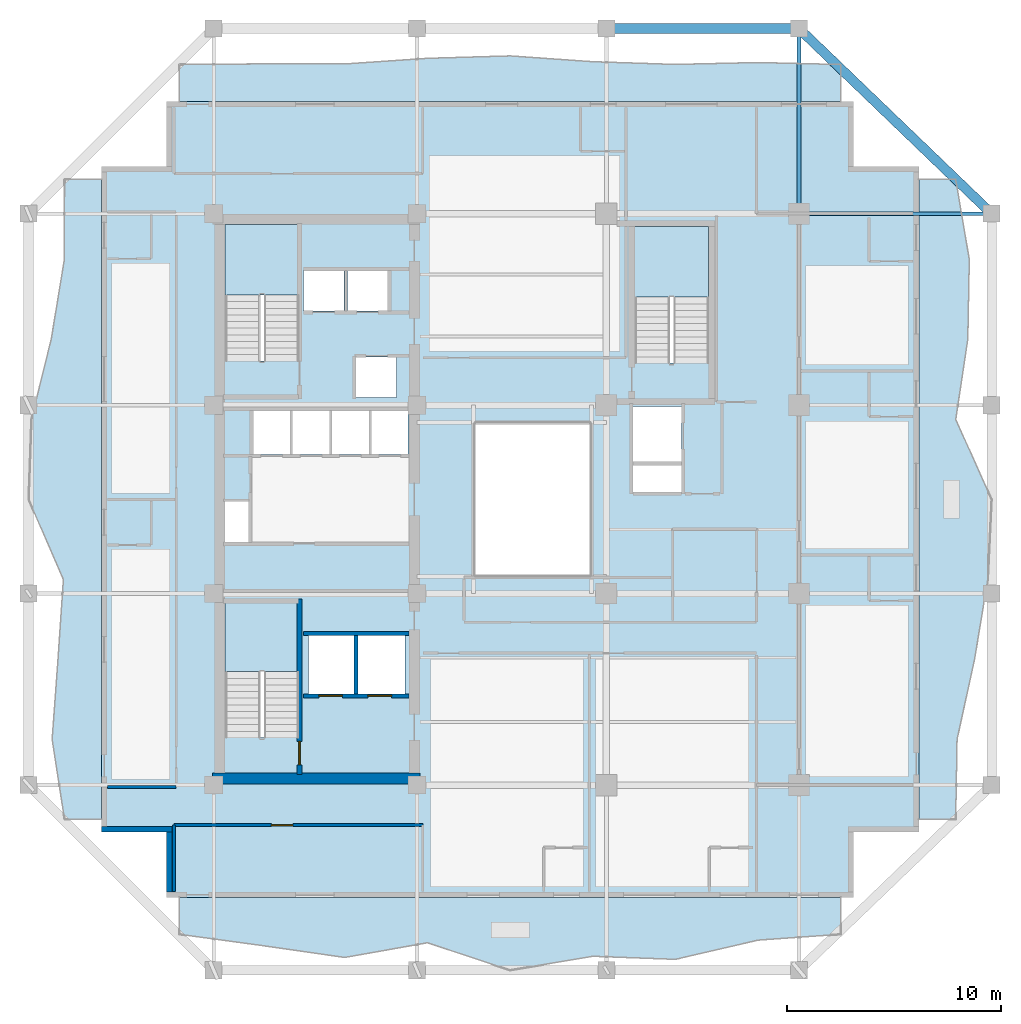
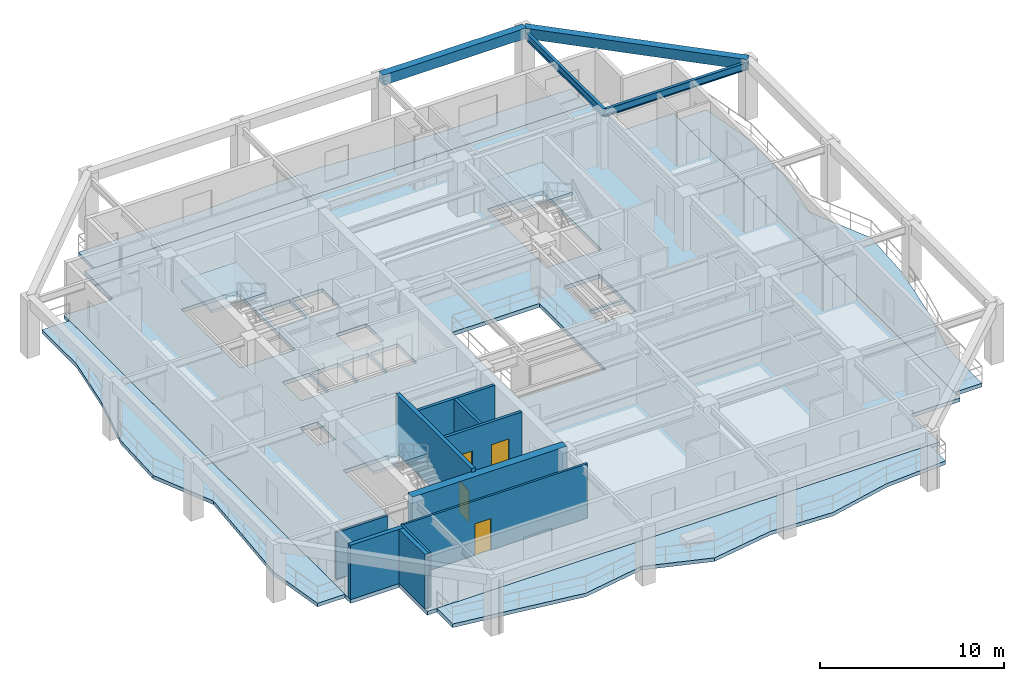
# One storey, part 2 of 10: 10 walls, 8 slabs, 4 beams, 4 doors, 4 openings, 3 elements without a shape of their own.
"""IFC4 building model written with IfcOpenShell, lengths in metres."""

from ifc_helpers import new_model, si_unit, direction, frame, frame_2d, origin, origin_2d, place, context, subcontext, project, spatial, polyline, rectangle, i_section, outline, extrude, material, layer, layer_set, material_profile, profile_set, type_object, element, fill, aggregate, save


model = new_model("IFC4")

# Units and contexts
model_context = context("Model", 3, precision=1e-05, world=origin(), true_north=direction((0.0, 1.0)))
body_context = subcontext(model_context, "Body", "Model", "MODEL_VIEW")
ifc_project = project(units=[si_unit("LENGTHUNIT", "METRE"), si_unit("AREAUNIT", "SQUARE_METRE"), si_unit("VOLUMEUNIT", "CUBIC_METRE"), si_unit("PLANEANGLEUNIT", "RADIAN"), si_unit("MASSUNIT", "GRAM", prefix="KILO")], contexts=[model_context])

# Site, building, storey
site_placement = place(None, origin())
site = spatial("IfcSite", under=ifc_project, at=site_placement, CompositionType="ELEMENT")
building_placement = place(site_placement, origin())
building = spatial("IfcBuilding", under=site, at=building_placement, Name="Kundavana Baori Tower", CompositionType="ELEMENT")
storey_placement = place(building_placement, frame((0.0, 0.0, 115.550048828125)))
storey = spatial("IfcBuildingStorey", under=building, at=storey_placement, Name="L27", CompositionType="ELEMENT", Elevation=115.550048828125)

# Beams
ifc_material_1 = material(Name="Concrete C50/60", Category="concrete")
ifc_material_profile_1 = material_profile(ifc_material_1, rectangle(XDim=0.449951171875, YDim=0.679931640625, at=origin_2d()), Name="RC BM 450x680")
ifc_profile_set_1 = profile_set([ifc_material_profile_1], Name="Concrete C50/60")
beam_type_1 = type_object("IfcBeamType", Name="BM-PF-680", PredefinedType="SPANDREL", material=ifc_profile_set_1)
beam_1_placement = place(storey_placement, frame((33.800048828125, 50.60009765625, 3.510009765625), z_axis=(1.0, 0.0, 0.0), x_axis=(0.0, 1.0, 0.0)))
element("IfcBeam", 1, at=beam_1_placement, inside=storey, type_object=beam_type_1, Name="L27 Perimeter Frame Ring Beam N3", PredefinedType="SPANDREL", context=body_context, shape_type="SweptSolid", body=[
    extrude(rectangle(XDim=0.449951171875, YDim=0.679931640625, at=origin_2d()), origin(), (0.0, 0.0, 1.0), 9.0),
])
beam_2_placement = place(storey_placement, frame((42.800048828125, 50.60009765625, 3.510009765625), z_axis=(0.720981122985, -0.692954702921, 0.0), x_axis=(0.692954702921, 0.720981122985, 0.0)))
element("IfcBeam", 2, at=beam_2_placement, inside=storey, type_object=beam_type_1, Name="L27 Notched Corner Perimeter Beam NE", PredefinedType="SPANDREL", context=body_context, shape_type="SweptSolid", body=[
    extrude(rectangle(XDim=0.449951171875, YDim=0.679931640625, at=origin_2d()), origin(), (0.0, 0.0, 1.0), 12.48291015625),
])
ifc_material_2 = material(Name="Structural Steel S355JR", Category="steel")
ifc_material_profile_2 = material_profile(ifc_material_2, i_section(OverallWidth=0.179931640625, OverallDepth=0.5, WebThickness=0.01025390625, FlangeThickness=0.01708984375, FilletRadius=0.01708984375, at=origin_2d()), Name="ISMB 500")
ifc_profile_set_2 = profile_set([ifc_material_profile_2], Name="Structural Steel S355JR")
beam_type_2 = type_object("IfcBeamType", Name="BM-TIE-500", PredefinedType="BEAM", material=ifc_profile_set_2)
beam_3_placement = place(storey_placement, frame((42.800048828125, 41.949951171875, 3.349853515625), z_axis=(0.0, 1.0, 0.0), x_axis=(-1.0, 0.0, 0.0)))
element("IfcBeam", 3, at=beam_3_placement, inside=storey, type_object=beam_type_2, Name="L27 North Radial Loggia Tie Beam N4", PredefinedType="BEAM", context=body_context, shape_type="SweptSolid", body=[
    extrude(i_section(OverallWidth=0.179931640625, OverallDepth=0.5, WebThickness=0.01025390625, FlangeThickness=0.01708984375, FilletRadius=0.01708984375, at=origin_2d()), origin(), (0.0, 0.0, 1.0), 8.650146484375),
])
beam_4_placement = place(storey_placement, frame((42.800048828125, 41.949951171875, 3.349853515625), z_axis=(1.0, 0.0, 0.0), x_axis=(0.0, 1.0, 0.0)))
element("IfcBeam", 4, at=beam_4_placement, inside=storey, type_object=beam_type_2, Name="L27 East Radial Loggia Tie Beam E4", PredefinedType="BEAM", context=body_context, shape_type="SweptSolid", body=[
    extrude(i_section(OverallWidth=0.179931640625, OverallDepth=0.5, WebThickness=0.01025390625, FlangeThickness=0.01708984375, FilletRadius=0.01708984375, at=origin_2d()), origin(), (0.0, 0.0, 1.0), 9.0),
])

# Slab
ifc_material_3 = material(Name="Concrete C40/50", Category="concrete")
ifc_layer_1 = layer(ifc_material_3, 0.25, Name="SLB-FLR-250")
ifc_layer_set_1 = layer_set([ifc_layer_1], Name="Concrete C40/50")
slab_type_1 = type_object("IfcSlabType", Name="SLB-FLR-250", PredefinedType="FLOOR", material=ifc_layer_set_1)
slab_1_placement = place(storey_placement, frame((0.0, 0.0, -0.25)))
element("IfcSlab", 5, at=slab_1_placement, inside=storey, type_object=slab_type_1, Name="L27 Structural Floor Slab", PredefinedType="FLOOR", context=body_context, shape_type="SweptSolid", body=[
    extrude(outline(polyline([(13.25, 10.0), (45.35009765625, 10.0), (45.35009765625, 13.050048828125), (48.39990234375, 13.050048828125), (48.39990234375, 44.14990234375), (45.35009765625, 44.14990234375), (45.35009765625, 47.199951171875), (13.25, 47.199951171875), (13.25, 44.14990234375), (10.199951171875, 44.14990234375), (10.199951171875, 13.050048828125), (13.25, 13.050048828125), (13.25, 10.0)]), holes=[polyline([(19.43994140625, 17.4619140625), (19.43994140625, 23.85009765625), (15.97998046875, 23.85009765625), (15.97998046875, 17.4619140625), (19.43994140625, 17.4619140625)]), polyline([(19.43994140625, 35.06201171875), (19.43994140625, 41.449951171875), (15.97998046875, 41.449951171875), (15.97998046875, 35.06201171875), (19.43994140625, 35.06201171875)]), polyline([(38.580078125, 34.9619140625), (38.580078125, 41.35009765625), (35.1201171875, 41.35009765625), (35.1201171875, 34.9619140625), (38.580078125, 34.9619140625)]), polyline([(17.300048828125, 30.699951171875), (19.02001953125, 30.699951171875), (19.02001953125, 32.75), (17.300048828125, 32.75), (17.300048828125, 30.699951171875)]), polyline([(19.139892578125, 30.699951171875), (20.860107421875, 30.699951171875), (20.860107421875, 32.75), (19.139892578125, 32.75), (19.139892578125, 30.699951171875)]), polyline([(20.97998046875, 30.699951171875), (22.699951171875, 30.699951171875), (22.699951171875, 32.75), (20.97998046875, 32.75), (20.97998046875, 30.699951171875)]), polyline([(22.820068359375, 30.699951171875), (24.5400390625, 30.699951171875), (24.5400390625, 32.75), (22.820068359375, 32.75), (22.820068359375, 30.699951171875)]), polyline([(19.64990234375, 37.39990234375), (21.550048828125, 37.39990234375), (21.550048828125, 39.300048828125), (19.64990234375, 39.300048828125), (19.64990234375, 37.39990234375)]), polyline([(21.699951171875, 37.39990234375), (23.60009765625, 37.39990234375), (23.60009765625, 39.300048828125), (21.699951171875, 39.300048828125), (21.699951171875, 37.39990234375)]), polyline([(22.10009765625, 33.35009765625), (24.0, 33.35009765625), (24.0, 35.25), (22.10009765625, 35.25), (22.10009765625, 33.35009765625)]), polyline([(19.8798828125, 19.5), (22.02001953125, 19.5), (22.02001953125, 22.25), (19.8798828125, 22.25), (19.8798828125, 19.5)]), polyline([(22.179931640625, 19.5), (24.3798828125, 19.5), (24.3798828125, 22.25), (22.179931640625, 22.25), (22.179931640625, 19.5)]), polyline([(35.050048828125, 30.35009765625), (37.300048828125, 30.35009765625), (37.300048828125, 32.949951171875), (35.050048828125, 32.949951171875), (35.050048828125, 30.35009765625)]), polyline([(15.949951171875, 26.60009765625), (17.080078125, 26.60009765625), (17.080078125, 28.5), (15.949951171875, 28.5), (15.949951171875, 26.60009765625)]), polyline([(35.050048828125, 28.949951171875), (37.300048828125, 28.949951171875), (37.300048828125, 30.199951171875), (35.050048828125, 30.199951171875), (35.050048828125, 28.949951171875)]), polyline([(27.60009765625, 25.0), (33.10009765625, 25.0), (33.10009765625, 32.199951171875), (27.60009765625, 32.199951171875), (27.60009765625, 25.0)])]), origin(), (0.0, 0.0, 1.0), 0.25),
])

# Stair, slab
ifc_material_4 = material(Name="Concrete C40/50", Category="concrete")
stair_type = type_object("IfcStairType", Name="STR-DOG-1650", PredefinedType="HALF_TURN_STAIR", material=ifc_material_4)
stair_1_placement = place(storey_placement, origin())
stair_1 = element("IfcStair", 6, at=stair_1_placement, inside=storey, type_object=stair_type, Name="L27 Protected Exit Stair ST1", PredefinedType="HALF_TURN_STAIR")
ifc_material_5 = material(Name="Concrete C40/50", Category="concrete")
ifc_layer_2 = layer(ifc_material_5, 0.199951171875, Name="SLB-LND-200")
ifc_layer_set_2 = layer_set([ifc_layer_2], Name="Concrete C40/50")
slab_type_2 = type_object("IfcSlabType", Name="SLB-LND-200", PredefinedType="LANDING", material=ifc_layer_set_2)
slab_2_placement = place(storey_placement, frame((0.0, 0.0, 1.724853515625)))
slab_2 = element("IfcSlab", 7, at=slab_2_placement, type_object=slab_type_2, Name="ST1 landing 1", PredefinedType="LANDING", context=body_context, shape_type="SweptSolid", body=[
    extrude(outline(polyline([(19.43994140625, 20.550048828125), (19.43994140625, 23.85009765625), (15.97998046875, 23.85009765625), (15.97998046875, 20.550048828125), (19.43994140625, 20.550048828125)])), origin(), (0.0, 0.0, 1.0), 0.2001953125),
])
aggregate(stair_1, [slab_2])

stair_2_placement = place(storey_placement, origin())
stair_2 = element("IfcStair", 8, at=stair_2_placement, inside=storey, type_object=stair_type, Name="L27 Protected Exit Stair ST2", PredefinedType="HALF_TURN_STAIR")
slab_3_placement = place(storey_placement, frame((0.0, 0.0, 1.724853515625)))
slab_3 = element("IfcSlab", 9, at=slab_3_placement, type_object=slab_type_2, Name="ST2 landing 1", PredefinedType="LANDING", context=body_context, shape_type="SweptSolid", body=[
    extrude(outline(polyline([(19.43994140625, 38.14990234375), (19.43994140625, 41.449951171875), (15.97998046875, 41.449951171875), (15.97998046875, 38.14990234375), (19.43994140625, 38.14990234375)])), origin(), (0.0, 0.0, 1.0), 0.2001953125),
])
aggregate(stair_2, [slab_3])

stair_3_placement = place(storey_placement, origin())
stair_3 = element("IfcStair", 10, at=stair_3_placement, inside=storey, type_object=stair_type, Name="L27 Protected Exit Stair ST3", PredefinedType="HALF_TURN_STAIR")
slab_4_placement = place(storey_placement, frame((0.0, 0.0, 1.724853515625)))
slab_4 = element("IfcSlab", 11, at=slab_4_placement, type_object=slab_type_2, Name="ST3 landing 1", PredefinedType="LANDING", context=body_context, shape_type="SweptSolid", body=[
    extrude(outline(polyline([(38.580078125, 38.050048828125), (38.580078125, 41.35009765625), (35.1201171875, 41.35009765625), (35.1201171875, 38.050048828125), (38.580078125, 38.050048828125)])), origin(), (0.0, 0.0, 1.0), 0.2001953125),
])
aggregate(stair_3, [slab_4])

# Slabs
ifc_material_6 = material(Name="Concrete C40/50", Category="concrete")
ifc_layer_3 = layer(ifc_material_6, 0.239990234375, Name="SLB-LOG-240")
ifc_layer_set_3 = layer_set([ifc_layer_3], Name="Concrete C40/50")
slab_type_3 = type_object("IfcSlabType", Name="SLB-LOG-240", PredefinedType="FLOOR", material=ifc_layer_set_3)
slab_5_placement = place(storey_placement, frame((0.0, 0.0, -0.239990234375)))
element("IfcSlab", 12, at=slab_5_placement, inside=storey, type_object=slab_type_3, Name="L27 Planted Loggia Balcony Slab S", PredefinedType="FLOOR", context=body_context, shape_type="SweptSolid", body=[
    extrude(outline(polyline([(13.85009765625, 10.0), (44.75, 10.0), (44.75, 8.280029296875), (40.886962890625, 8.006103515625), (37.02490234375, 7.10888671875), (33.1630859375, 7.251953125), (29.300048828125, 6.60009765625), (25.43798828125, 7.884033203125), (21.574951171875, 7.197021484375), (17.7119140625, 7.7529296875), (13.85009765625, 8.280029296875), (13.85009765625, 10.0)])), origin(), (0.0, 0.0, 1.0), 0.239990234375),
])
slab_6_placement = place(storey_placement, frame((0.0, 0.0, -0.239990234375)))
element("IfcSlab", 13, at=slab_6_placement, inside=storey, type_object=slab_type_3, Name="L27 Planted Loggia Balcony Slab E", PredefinedType="FLOOR", context=body_context, shape_type="SweptSolid", body=[
    extrude(outline(polyline([(48.39990234375, 13.64990234375), (48.39990234375, 43.550048828125), (50.1201171875, 43.550048828125), (50.757080078125, 39.81201171875), (50.68603515625, 36.074951171875), (50.123046875, 32.3369140625), (51.800048828125, 28.60009765625), (51.6201171875, 24.862060546875), (51.0029296875, 21.125), (50.18505859375, 17.386962890625), (50.1201171875, 13.64990234375), (48.39990234375, 13.64990234375)])), origin(), (0.0, 0.0, 1.0), 0.239990234375),
])
slab_7_placement = place(storey_placement, frame((0.0, 0.0, -0.239990234375)))
element("IfcSlab", 14, at=slab_7_placement, inside=storey, type_object=slab_type_3, Name="L27 Planted Loggia Balcony Slab N", PredefinedType="FLOOR", context=body_context, shape_type="SweptSolid", body=[
    extrude(outline(polyline([(44.75, 47.199951171875), (13.85009765625, 47.199951171875), (13.85009765625, 48.919921875), (17.7119140625, 48.948974609375), (21.574951171875, 48.946044921875), (25.43798828125, 49.208984375), (29.300048828125, 49.322021484375), (33.1630859375, 49.051025390625), (37.02490234375, 48.924072265625), (40.886962890625, 49.011962890625), (44.75, 48.919921875), (44.75, 47.199951171875)])), origin(), (0.0, 0.0, 1.0), 0.239990234375),
])
slab_8_placement = place(storey_placement, frame((0.0, 0.0, -0.239990234375)))
element("IfcSlab", 15, at=slab_8_placement, inside=storey, type_object=slab_type_3, Name="L27 Planted Loggia Balcony Slab W", PredefinedType="FLOOR", context=body_context, shape_type="SweptSolid", body=[
    extrude(outline(polyline([(10.199951171875, 43.550048828125), (10.199951171875, 13.64990234375), (8.47998046875, 13.64990234375), (7.902099609375, 17.386962890625), (8.175048828125, 21.125), (8.427978515625, 24.862060546875), (6.800048828125, 28.60009765625), (6.930908203125, 32.3369140625), (7.85791015625, 36.074951171875), (8.47412109375, 39.81201171875), (8.47998046875, 43.550048828125), (10.199951171875, 43.550048828125)])), origin(), (0.0, 0.0, 1.0), 0.239990234375),
])

# Wall, opening, door
ifc_material_7 = material(Name="Concrete C50/60", Category="concrete")
ifc_layer_4 = layer(ifc_material_7, 0.39990234375, Name="WL-CORE-400")
ifc_layer_set_4 = layer_set([ifc_layer_4], Name="Concrete C50/60")
wall_type_1 = type_object("IfcWallType", Name="WL-CORE-400", PredefinedType="SHEAR", material=ifc_layer_set_4)
wall_1_placement = place(storey_placement, frame((19.4599609375, 15.739990234375, 0.0), z_axis=(0.0, 0.0, 1.0), x_axis=(0.0, 1.0, 0.0)))
wall_1 = element("IfcWall", 16, at=wall_1_placement, inside=storey, type_object=wall_type_1, Name="WL-L27-ST1-E", PredefinedType="SHEAR", context=body_context, shape_type="SweptSolid", body=[
    extrude(rectangle(XDim=8.199951171875, YDim=0.239990234375, at=frame_2d((4.10009765625, 0.0))), origin(), (0.0, 0.0, 1.0), 3.849853515625),
])
opening_1_placement = place(wall_1_placement, frame((0.449951171875, 0.0, 0.0)))
opening_1 = element("IfcOpeningElement", 17, at=opening_1_placement, cuts=wall_1, Name="Opening FD-110", PredefinedType="OPENING", context=body_context, shape_type="SweptSolid", body=[
    extrude(rectangle(XDim=1.10009765625, YDim=2.10009765625, at=frame_2d((0.550048828125, 1.050048828125))), frame((0.0, 0.1298828125, 0.0), z_axis=(0.0, -1.0, 0.0), x_axis=(1.0, 0.0, 0.0)), (0.0, 0.0, 1.0), 0.260009765625),
])
ifc_material_8 = material(Name="Galvanised Steel Fire-Rated Door Leaf", Category="steel")
door_type_1 = type_object("IfcDoorType", Name="DR-FD120-1100", OperationType="NOTDEFINED", PredefinedType="DOOR", material=ifc_material_8)
door_1_placement = place(opening_1_placement, origin())
door_1 = element("IfcDoor", 18, at=door_1_placement, inside=storey, type_object=door_type_1, Name="DR-L27-ST1", OperationType="SINGLE_SWING_LEFT", OverallHeight=2.10009765625, OverallWidth=1.10009765625, PredefinedType="DOOR", context=body_context, shape_type="SweptSolid", body=[
    extrude(rectangle(XDim=1.10009765625, YDim=2.10009765625, at=frame_2d((0.550048828125, 1.050048828125))), frame((0.0, 0.02490234375, 0.0), z_axis=(0.0, -1.0, 0.0), x_axis=(1.0, 0.0, 0.0)), (0.0, 0.0, 1.0), 0.050048828125),
])
fill(opening_1, door_1)

# Walls
ifc_material_9 = material(Name="Concrete C50/60", Category="concrete")
ifc_layer_5 = layer(ifc_material_9, 0.5, Name="WL-CORE-500")
ifc_layer_set_5 = layer_set([ifc_layer_5], Name="Concrete C50/60")
wall_type_2 = type_object("IfcWallType", Name="WL-CORE-500", PredefinedType="SHEAR", material=ifc_layer_set_5)
wall_2_placement = place(storey_placement, frame((15.39990234375, 15.56005859375, 0.0), z_axis=(0.0, 0.0, 1.0), x_axis=(1.0, 0.0, 0.0)))
element("IfcWall", 19, at=wall_2_placement, inside=storey, type_object=wall_type_2, Name="L27 Offset Core South Shear Wall", PredefinedType="SHEAR", context=body_context, shape_type="SweptSolid", body=[
    extrude(rectangle(XDim=9.68017578125, YDim=0.5, at=frame_2d((4.840087890625, 0.0))), origin(), (0.0, 0.0, 1.0), 3.599853515625),
])
ifc_material_10 = material(Name="Kiln-Fired Terracotta Brick-Slip Masonry on Concrete C40/50", Category="masonry")
ifc_layer_6 = layer(ifc_material_10, 0.260009765625, Name="WL-EXT-BRK-260")
ifc_layer_set_6 = layer_set([ifc_layer_6], Name="Kiln-Fired Terracotta Brick-Slip Masonry on Concrete C40/50")
wall_type_3 = type_object("IfcWallType", Name="WL-EXT-BRK-260", PredefinedType="SOLIDWALL", material=ifc_layer_set_6)
wall_3_placement = place(storey_placement, frame((10.199951171875, 13.179931640625, 0.0), z_axis=(0.0, 0.0, 1.0), x_axis=(1.0, 0.0, 0.0)))
element("IfcWall", 20, at=wall_3_placement, inside=storey, type_object=wall_type_3, Name="L27 Exterior Insulated Facade Wall 11", PredefinedType="SOLIDWALL", context=body_context, shape_type="SweptSolid", body=[
    extrude(rectangle(XDim=3.31005859375, YDim=0.260009765625, at=frame_2d((1.655029296875, 0.0))), origin(), (0.0, 0.0, 1.0), 3.599853515625),
])
wall_4_placement = place(storey_placement, frame((13.3798828125, 13.050048828125, 0.0), z_axis=(0.0, 0.0, 1.0), x_axis=(0.0, -1.0, 0.0)))
element("IfcWall", 21, at=wall_4_placement, inside=storey, type_object=wall_type_3, Name="L27 Exterior Insulated Facade Wall 12", PredefinedType="SOLIDWALL", context=body_context, shape_type="SweptSolid", body=[
    extrude(rectangle(XDim=2.7900390625, YDim=0.260009765625, at=frame_2d((1.39501953125, 0.0))), origin(), (0.0, 0.0, 1.0), 3.599853515625),
])
ifc_material_11 = material(Name="Acoustic Gypsum Plasterboard on Galvanised Steel Studs", Category="steel")
ifc_layer_7 = layer(ifc_material_11, 0.135009765625, Name="WL-PART-135")
ifc_layer_set_7 = layer_set([ifc_layer_7], Name="Acoustic Gypsum Plasterboard on Galvanised Steel Studs")
wall_type_4 = type_object("IfcWallType", Name="WL-PART-135", PredefinedType="PARTITIONING", material=ifc_layer_set_7)
wall_5_placement = place(storey_placement, frame((10.47998046875, 15.159912109375, 0.0), z_axis=(0.0, 0.0, 1.0), x_axis=(1.0, 0.0, 0.0)))
element("IfcWall", 22, at=wall_5_placement, inside=storey, type_object=wall_type_4, Name="WL-L27-HWS", PredefinedType="PARTITIONING", context=body_context, shape_type="SweptSolid", body=[
    extrude(rectangle(XDim=3.219970703125, YDim=0.135009765625, at=frame_2d((1.60986328125, 0.0))), origin(), (0.0, 0.0, 1.0), 3.099853515625),
])

# Wall, opening, door
wall_6_placement = place(storey_placement, frame((13.590087890625, 13.3798828125, 0.0), z_axis=(0.0, 0.0, 1.0), x_axis=(1.0, 0.0, 0.0)))
wall_6 = element("IfcWall", 23, at=wall_6_placement, inside=storey, type_object=wall_type_4, Name="WL-L27-HSC", PredefinedType="PARTITIONING", context=body_context, shape_type="SweptSolid", body=[
    extrude(rectangle(XDim=11.6298828125, YDim=0.135009765625, at=frame_2d((5.81494140625, 0.0))), origin(), (0.0, 0.0, 1.0), 3.599853515625),
])
opening_2_placement = place(wall_6_placement, frame((4.56005859375, 0.0, 0.0)))
opening_2 = element("IfcOpeningElement", 24, at=opening_2_placement, cuts=wall_6, Name="Opening ID-100", PredefinedType="OPENING", context=body_context, shape_type="SweptSolid", body=[
    extrude(rectangle(XDim=1.0, YDim=2.080078125, at=frame_2d((0.5, 1.0400390625))), frame((0.0, 0.07763671875, 0.0), z_axis=(0.0, -1.0, 0.0), x_axis=(1.0, 0.0, 0.0)), (0.0, 0.0, 1.0), 0.155029296875),
])
ifc_material_12 = material(Name="Engineered Teak Solid-Core Timber Veneer", Category="wood")
door_type_2 = type_object("IfcDoorType", Name="DR-INT-1000", OperationType="NOTDEFINED", PredefinedType="DOOR", material=ifc_material_12)
door_2_placement = place(opening_2_placement, frame((1.0, 0.0, 0.0), z_axis=(0.0, 0.0, 1.0), x_axis=(-1.0, 0.0, 0.0)))
door_2 = element("IfcDoor", 25, at=door_2_placement, inside=storey, type_object=door_type_2, Name="DR-L27-HMSW", OperationType="SINGLE_SWING_LEFT", OverallHeight=2.080078125, OverallWidth=1.0, PredefinedType="DOOR", context=body_context, shape_type="SweptSolid", body=[
    extrude(rectangle(XDim=1.0, YDim=2.080078125, at=frame_2d((0.5, 1.0400390625))), frame((0.0, 0.02490234375, 0.0), z_axis=(0.0, -1.0, 0.0), x_axis=(1.0, 0.0, 0.0)), (0.0, 0.0, 1.0), 0.050048828125),
])
fill(opening_2, door_2)

# Wall
wall_7_placement = place(storey_placement, frame((13.590087890625, 10.280029296875, 0.0), z_axis=(0.0, 0.0, 1.0), x_axis=(0.0, 1.0, 0.0)))
element("IfcWall", 26, at=wall_7_placement, inside=storey, type_object=wall_type_4, Name="WL-L27-HSCW", PredefinedType="PARTITIONING", context=body_context, shape_type="SweptSolid", body=[
    extrude(rectangle(XDim=3.099853515625, YDim=0.135009765625, at=frame_2d((1.5498046875, 0.0))), origin(), (0.0, 0.0, 1.0), 3.599853515625),
])

# Wall, openings, doors
ifc_material_13 = material(Name="Autoclaved Aerated Concrete Blockwork Masonry", Category="masonry")
ifc_layer_8 = layer(ifc_material_13, 0.179931640625, Name="WL-SHAFT-180")
ifc_layer_set_8 = layer_set([ifc_layer_8], Name="Autoclaved Aerated Concrete Blockwork Masonry")
wall_type_5 = type_object("IfcWallType", Name="WL-SHAFT-180", PredefinedType="SOLIDWALL", material=ifc_layer_set_8)
wall_8_placement = place(storey_placement, frame((19.639892578125, 19.419921875, 0.0), z_axis=(0.0, 0.0, 1.0), x_axis=(1.0, 0.0, 0.0)))
wall_8 = element("IfcWall", 27, at=wall_8_placement, inside=storey, type_object=wall_type_5, Name="WL-L27-FFL-S", PredefinedType="SOLIDWALL", context=body_context, shape_type="SweptSolid", body=[
    extrude(rectangle(XDim=4.940185546875, YDim=0.179931640625, at=frame_2d((2.47021484375, 0.0))), origin(), (0.0, 0.0, 1.0), 3.599853515625),
])
opening_3_placement = place(wall_8_placement, frame((0.719970703125, 0.0, 0.0)))
opening_3 = element("IfcOpeningElement", 28, at=opening_3_placement, cuts=wall_8, Name="Opening LD-110", PredefinedType="OPENING", context=body_context, shape_type="SweptSolid", body=[
    extrude(rectangle(XDim=1.10009765625, YDim=2.10009765625, at=frame_2d((0.550048828125, 1.050048828125))), frame((0.0, 0.10009765625, 0.0), z_axis=(0.0, -1.0, 0.0), x_axis=(1.0, 0.0, 0.0)), (0.0, 0.0, 1.0), 0.199951171875),
])
opening_4_placement = place(wall_8_placement, frame((3.02001953125, 0.0, 0.0)))
opening_4 = element("IfcOpeningElement", 29, at=opening_4_placement, cuts=wall_8, Name="Opening LD-110", PredefinedType="OPENING", context=body_context, shape_type="SweptSolid", body=[
    extrude(rectangle(XDim=1.10009765625, YDim=2.10009765625, at=frame_2d((0.550048828125, 1.050048828125))), frame((0.0, 0.10009765625, 0.0), z_axis=(0.0, -1.0, 0.0), x_axis=(1.0, 0.0, 0.0)), (0.0, 0.0, 1.0), 0.199951171875),
])
ifc_material_14 = material(Name="Galvanised Steel Fire-Rated Door Leaf", Category="steel")
door_type_3 = type_object("IfcDoorType", Name="DR-SLIDE-LD1100", OperationType="NOTDEFINED", PredefinedType="DOOR", material=ifc_material_14)
door_3_placement = place(opening_3_placement, origin())
door_3 = element("IfcDoor", 30, at=door_3_placement, inside=storey, type_object=door_type_3, Name="DR-L27-LD-FFL-1", OperationType="DOUBLE_DOOR_SLIDING", OverallHeight=2.10009765625, OverallWidth=1.10009765625, PredefinedType="DOOR", context=body_context, shape_type="SweptSolid", body=[
    extrude(rectangle(XDim=1.10009765625, YDim=2.10009765625, at=frame_2d((0.550048828125, 1.050048828125))), frame((0.0, 0.02490234375, 0.0), z_axis=(0.0, -1.0, 0.0), x_axis=(1.0, 0.0, 0.0)), (0.0, 0.0, 1.0), 0.050048828125),
])
fill(opening_3, door_3)
door_4_placement = place(opening_4_placement, origin())
door_4 = element("IfcDoor", 31, at=door_4_placement, inside=storey, type_object=door_type_3, Name="DR-L27-LD-FFL-2", OperationType="DOUBLE_DOOR_SLIDING", OverallHeight=2.10009765625, OverallWidth=1.10009765625, PredefinedType="DOOR", context=body_context, shape_type="SweptSolid", body=[
    extrude(rectangle(XDim=1.10009765625, YDim=2.10009765625, at=frame_2d((0.550048828125, 1.050048828125))), frame((0.0, 0.02490234375, 0.0), z_axis=(0.0, -1.0, 0.0), x_axis=(1.0, 0.0, 0.0)), (0.0, 0.0, 1.0), 0.050048828125),
])
fill(opening_4, door_4)

# Walls
wall_9_placement = place(storey_placement, frame((22.10009765625, 19.510009765625, 0.0), z_axis=(0.0, 0.0, 1.0), x_axis=(0.0, 1.0, 0.0)))
element("IfcWall", 32, at=wall_9_placement, inside=storey, type_object=wall_type_5, Name="WL-L27-FFL-MID", PredefinedType="SOLIDWALL", context=body_context, shape_type="SweptSolid", body=[
    extrude(rectangle(XDim=2.739990234375, YDim=0.179931640625, at=frame_2d((1.3701171875, 0.0))), origin(), (0.0, 0.0, 1.0), 3.599853515625),
])
wall_10_placement = place(storey_placement, frame((19.639892578125, 22.340087890625, 0.0), z_axis=(0.0, 0.0, 1.0), x_axis=(1.0, 0.0, 0.0)))
element("IfcWall", 33, at=wall_10_placement, inside=storey, type_object=wall_type_5, Name="WL-L27-FFL-N", PredefinedType="SOLIDWALL", context=body_context, shape_type="SweptSolid", body=[
    extrude(rectangle(XDim=4.940185546875, YDim=0.179931640625, at=frame_2d((2.47021484375, 0.0))), origin(), (0.0, 0.0, 1.0), 3.599853515625),
])

save(model, "model.ifc")
